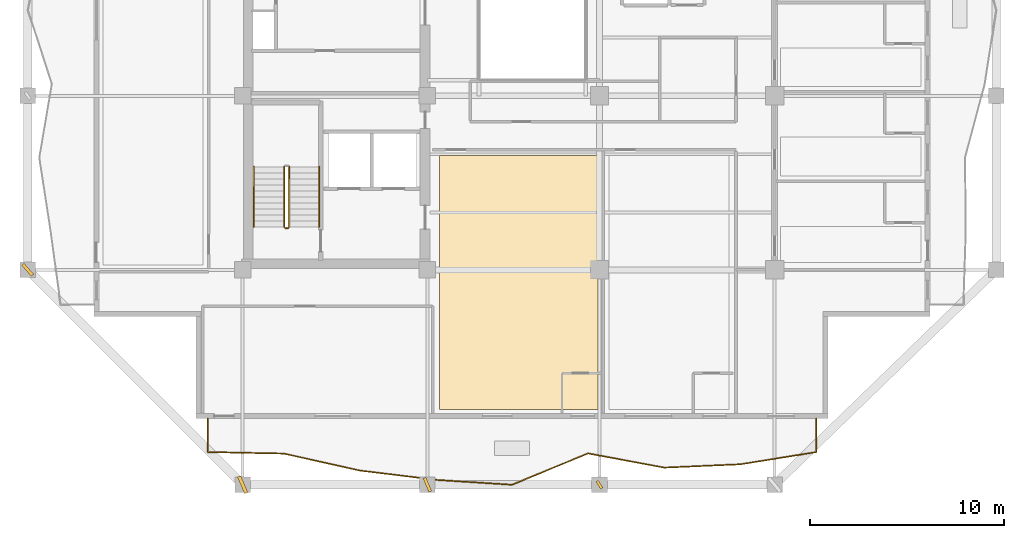
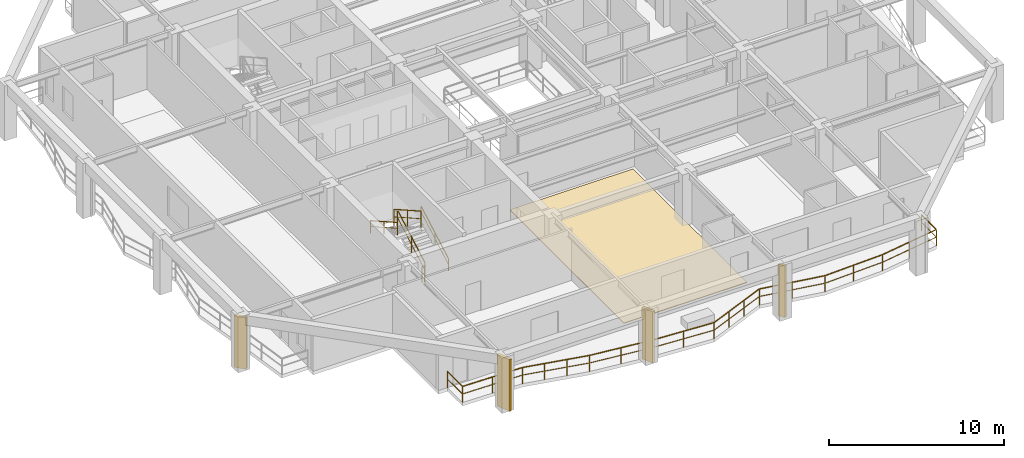
# One storey, part 8 of 13: 6 railings, 4 shading devices, 1 covering.
"""IFC4 building model written with IfcOpenShell, lengths in metres."""

from ifc_helpers import new_model, si_unit, direction, frame, origin, origin_2d, place, context, subcontext, project, spatial, polyline, rectangle, outline, extrude, material, layer, layer_set, type_object, element, save


model = new_model("IFC4")

# Units and contexts
model_context = context("Model", 3, precision=1e-05, world=origin(), true_north=direction((0.0, 1.0)))
body_context = subcontext(model_context, "Body", "Model", "MODEL_VIEW")
ifc_project = project(units=[si_unit("LENGTHUNIT", "METRE"), si_unit("AREAUNIT", "SQUARE_METRE"), si_unit("VOLUMEUNIT", "CUBIC_METRE"), si_unit("PLANEANGLEUNIT", "RADIAN"), si_unit("MASSUNIT", "GRAM", prefix="KILO")], contexts=[model_context])

# Site, building, storey
site_placement = place(None, origin())
site = spatial("IfcSite", under=ifc_project, at=site_placement, CompositionType="ELEMENT")
building_placement = place(site_placement, origin())
building = spatial("IfcBuilding", under=site, at=building_placement, Name="Kundavana Baori Tower", CompositionType="ELEMENT")
storey_placement = place(building_placement, frame((0.0, 0.0, 184.85009765625)))
storey = spatial("IfcBuildingStorey", under=building, at=storey_placement, Name="L45", CompositionType="ELEMENT", Elevation=184.85009765625)

# Covering
ifc_material_1 = material(Name="Honed Kota Stone and Terrazzo Flooring", Category="masonry")
ifc_layer = layer(ifc_material_1, 0.0400390625, Name="COV-FLR-TERR-40")
ifc_layer_set = layer_set([ifc_layer], Name="Honed Kota Stone and Terrazzo Flooring")
covering_type = type_object("IfcCoveringType", Name="COV-FLR-TERR-40", PredefinedType="FLOORING", material=ifc_layer_set)
covering_placement = place(storey_placement, origin())
element("IfcCovering", 1, at=covering_placement, inside=storey, type_object=covering_type, Name="L45 Room Finished Stone Flooring 2", PredefinedType="FLOORING", context=body_context, shape_type="SweptSolid", body=[
    extrude(outline(polyline([(25.580078125, 8.080078125), (33.719970703125, 8.080078125), (33.719970703125, 21.139892578125), (25.580078125, 21.139892578125), (25.580078125, 8.080078125)])), origin(), (0.0, 0.0, 1.0), 0.039794921875),
])

# Railings
ifc_material_2 = material(Name="Architectural Patinated Bronze Metalwork")
railing_type_1 = type_object("IfcRailingType", Name="RL-BAL-1150", PredefinedType="BALUSTRADE", material=ifc_material_2)
railing_1_placement = place(storey_placement, frame((44.949951171875, 7.60009765625, 0.0)))
element("IfcRailing", 2, at=railing_1_placement, inside=storey, type_object=railing_type_1, Name="L45 Loggia Balcony Balustrade S", PredefinedType="BALUSTRADE", context=body_context, shape_type="SweptSolid", body=[
    extrude(rectangle(XDim=0.048095703125, YDim=0.048095703125, at=origin_2d()), frame((0.0, 0.0, 1.1259765625), z_axis=(0.0, -1.0, 0.0), x_axis=(1.0, 0.0, 0.0)), (0.0, 0.0, 1.0), 1.72021484375),
    extrude(rectangle(XDim=0.03125, YDim=0.03125, at=origin_2d()), frame((0.0, 0.0, 0.597900390625), z_axis=(0.0, -1.0, 0.0), x_axis=(1.0, 0.0, 0.0)), (0.0, 0.0, 1.0), 1.72021484375),
    extrude(rectangle(XDim=0.048095703125, YDim=0.048095703125, at=origin_2d()), frame((0.0, -1.72021484375, 1.1259765625), z_axis=(-0.987283267843, -0.158970906262, 0.0), x_axis=(0.158970906262, -0.987283267843, 0.0)), (0.0, 0.0, 1.0), 3.962158203125),
    extrude(rectangle(XDim=0.03125, YDim=0.03125, at=origin_2d()), frame((0.0, -1.72021484375, 0.597900390625), z_axis=(-0.987283267843, -0.158970906262, 0.0), x_axis=(0.158970906262, -0.987283267843, 0.0)), (0.0, 0.0, 1.0), 3.962158203125),
    extrude(rectangle(XDim=0.048095703125, YDim=0.048095703125, at=origin_2d()), frame((-3.911865234375, -2.35009765625, 1.1259765625), z_axis=(-0.999058509044, -0.043383124675, 0.0), x_axis=(0.043383124675, -0.999058509044, 0.0)), (0.0, 0.0, 1.0), 3.916748046875),
    extrude(rectangle(XDim=0.03125, YDim=0.03125, at=origin_2d()), frame((-3.911865234375, -2.35009765625, 0.597900390625), z_axis=(-0.999058509044, -0.043383124675, 0.0), x_axis=(0.043383124675, -0.999058509044, 0.0)), (0.0, 0.0, 1.0), 3.916748046875),
    extrude(rectangle(XDim=0.048095703125, YDim=0.048095703125, at=origin_2d()), frame((-7.824951171875, -2.52001953125, 1.1259765625), z_axis=(-0.982988660782, 0.183666253768, 0.0), x_axis=(-0.183666253768, -0.982988660782, 0.0)), (0.0, 0.0, 1.0), 3.979736328125),
    extrude(rectangle(XDim=0.03125, YDim=0.03125, at=origin_2d()), frame((-7.824951171875, -2.52001953125, 0.597900390625), z_axis=(-0.982988660782, 0.183666253768, 0.0), x_axis=(-0.183666253768, -0.982988660782, 0.0)), (0.0, 0.0, 1.0), 3.979736328125),
    extrude(rectangle(XDim=0.048095703125, YDim=0.048095703125, at=origin_2d()), frame((-11.737060546875, -1.7890625, 1.1259765625), z_axis=(-0.92468526757, -0.380732394128, 0.0), x_axis=(0.380732394128, -0.92468526757, 0.0)), (0.0, 0.0, 1.0), 4.2314453125),
    extrude(rectangle(XDim=0.03125, YDim=0.03125, at=origin_2d()), frame((-11.737060546875, -1.7890625, 0.597900390625), z_axis=(-0.92468526757, -0.380732394128, 0.0), x_axis=(0.380732394128, -0.92468526757, 0.0)), (0.0, 0.0, 1.0), 4.2314453125),
    extrude(rectangle(XDim=0.048095703125, YDim=0.048095703125, at=origin_2d()), frame((-15.64990234375, -3.400146484375, 1.1259765625), z_axis=(-0.99794847737, 0.064022156436, 0.0), x_axis=(-0.064022156436, -0.99794847737, 0.0)), (0.0, 0.0, 1.0), 3.920166015625),
    extrude(rectangle(XDim=0.03125, YDim=0.03125, at=origin_2d()), frame((-15.64990234375, -3.400146484375, 0.597900390625), z_axis=(-0.99794847737, 0.064022156436, 0.0), x_axis=(-0.064022156436, -0.99794847737, 0.0)), (0.0, 0.0, 1.0), 3.920166015625),
    extrude(rectangle(XDim=0.048095703125, YDim=0.048095703125, at=origin_2d()), frame((-19.56201171875, -3.149169921875, 1.1259765625), z_axis=(-0.99259004777, 0.121511304282, 0.0), x_axis=(-0.121511304282, -0.99259004777, 0.0)), (0.0, 0.0, 1.0), 3.942138671875),
    extrude(rectangle(XDim=0.03125, YDim=0.03125, at=origin_2d()), frame((-19.56201171875, -3.149169921875, 0.597900390625), z_axis=(-0.99259004777, 0.121511304282, 0.0), x_axis=(-0.121511304282, -0.99259004777, 0.0)), (0.0, 0.0, 1.0), 3.942138671875),
    extrude(rectangle(XDim=0.048095703125, YDim=0.048095703125, at=origin_2d()), frame((-23.474853515625, -2.670166015625, 1.1259765625), z_axis=(-0.976055056129, 0.217523624937, 0.0), x_axis=(-0.217523624937, -0.976055056129, 0.0)), (0.0, 0.0, 1.0), 4.009033203125),
    extrude(rectangle(XDim=0.03125, YDim=0.03125, at=origin_2d()), frame((-23.474853515625, -2.670166015625, 0.597900390625), z_axis=(-0.976055056129, 0.217523624937, 0.0), x_axis=(-0.217523624937, -0.976055056129, 0.0)), (0.0, 0.0, 1.0), 4.009033203125),
    extrude(rectangle(XDim=0.048095703125, YDim=0.048095703125, at=origin_2d()), frame((-27.387939453125, -1.798095703125, 1.1259765625), z_axis=(-0.999801901844, 0.019903694876, 0.0), x_axis=(-0.019903694876, -0.999801901844, 0.0)), (0.0, 0.0, 1.0), 3.912841796875),
    extrude(rectangle(XDim=0.03125, YDim=0.03125, at=origin_2d()), frame((-27.387939453125, -1.798095703125, 0.597900390625), z_axis=(-0.999801901844, 0.019903694876, 0.0), x_axis=(-0.019903694876, -0.999801901844, 0.0)), (0.0, 0.0, 1.0), 3.912841796875),
    extrude(rectangle(XDim=0.048095703125, YDim=0.048095703125, at=origin_2d()), frame((-31.300048828125, -1.72021484375, 1.1259765625), z_axis=(0.0, 1.0, 0.0), x_axis=(-1.0, 0.0, 0.0)), (0.0, 0.0, 1.0), 1.72021484375),
    extrude(rectangle(XDim=0.03125, YDim=0.03125, at=origin_2d()), frame((-31.300048828125, -1.72021484375, 0.597900390625), z_axis=(0.0, 1.0, 0.0), x_axis=(-1.0, 0.0, 0.0)), (0.0, 0.0, 1.0), 1.72021484375),
    extrude(rectangle(XDim=0.0419921875, YDim=0.0419921875, at=origin_2d()), origin(), (0.0, 0.0, 1.0), 1.101806640625),
    extrude(rectangle(XDim=0.0419921875, YDim=0.0419921875, at=origin_2d()), frame((0.0, -1.72021484375, 0.0)), (0.0, 0.0, 1.0), 1.101806640625),
    extrude(rectangle(XDim=0.0419921875, YDim=0.0419921875, at=origin_2d()), frame((-1.9560546875, -2.03515625, 0.0)), (0.0, 0.0, 1.0), 1.101806640625),
    extrude(rectangle(XDim=0.0419921875, YDim=0.0419921875, at=origin_2d()), frame((-3.911865234375, -2.35009765625, 0.0)), (0.0, 0.0, 1.0), 1.101806640625),
    extrude(rectangle(XDim=0.0419921875, YDim=0.0419921875, at=origin_2d()), frame((-5.868408203125, -2.43505859375, 0.0)), (0.0, 0.0, 1.0), 1.101806640625),
    extrude(rectangle(XDim=0.0419921875, YDim=0.0419921875, at=origin_2d()), frame((-7.824951171875, -2.52001953125, 0.0)), (0.0, 0.0, 1.0), 1.101806640625),
    extrude(rectangle(XDim=0.0419921875, YDim=0.0419921875, at=origin_2d()), frame((-9.781005859375, -2.154541015625, 0.0)), (0.0, 0.0, 1.0), 1.101806640625),
    extrude(rectangle(XDim=0.0419921875, YDim=0.0419921875, at=origin_2d()), frame((-11.737060546875, -1.7890625, 0.0)), (0.0, 0.0, 1.0), 1.101806640625),
    extrude(rectangle(XDim=0.0419921875, YDim=0.0419921875, at=origin_2d()), frame((-13.041259765625, -2.326171875, 0.0)), (0.0, 0.0, 1.0), 1.101806640625),
    extrude(rectangle(XDim=0.0419921875, YDim=0.0419921875, at=origin_2d()), frame((-14.345703125, -2.863037109375, 0.0)), (0.0, 0.0, 1.0), 1.101806640625),
    extrude(rectangle(XDim=0.0419921875, YDim=0.0419921875, at=origin_2d()), frame((-15.64990234375, -3.400146484375, 0.0)), (0.0, 0.0, 1.0), 1.101806640625),
    extrude(rectangle(XDim=0.0419921875, YDim=0.0419921875, at=origin_2d()), frame((-17.60595703125, -3.274658203125, 0.0)), (0.0, 0.0, 1.0), 1.101806640625),
    extrude(rectangle(XDim=0.0419921875, YDim=0.0419921875, at=origin_2d()), frame((-19.56201171875, -3.149169921875, 0.0)), (0.0, 0.0, 1.0), 1.101806640625),
    extrude(rectangle(XDim=0.0419921875, YDim=0.0419921875, at=origin_2d()), frame((-21.5185546875, -2.90966796875, 0.0)), (0.0, 0.0, 1.0), 1.101806640625),
    extrude(rectangle(XDim=0.0419921875, YDim=0.0419921875, at=origin_2d()), frame((-23.474853515625, -2.670166015625, 0.0)), (0.0, 0.0, 1.0), 1.101806640625),
    extrude(rectangle(XDim=0.0419921875, YDim=0.0419921875, at=origin_2d()), frame((-24.779296875, -2.37939453125, 0.0)), (0.0, 0.0, 1.0), 1.101806640625),
    extrude(rectangle(XDim=0.0419921875, YDim=0.0419921875, at=origin_2d()), frame((-26.08349609375, -2.0888671875, 0.0)), (0.0, 0.0, 1.0), 1.101806640625),
    extrude(rectangle(XDim=0.0419921875, YDim=0.0419921875, at=origin_2d()), frame((-27.387939453125, -1.798095703125, 0.0)), (0.0, 0.0, 1.0), 1.101806640625),
    extrude(rectangle(XDim=0.0419921875, YDim=0.0419921875, at=origin_2d()), frame((-29.343994140625, -1.75927734375, 0.0)), (0.0, 0.0, 1.0), 1.101806640625),
    extrude(rectangle(XDim=0.0419921875, YDim=0.0419921875, at=origin_2d()), frame((-31.300048828125, -1.72021484375, 0.0)), (0.0, 0.0, 1.0), 1.101806640625),
    extrude(rectangle(XDim=0.0419921875, YDim=0.0419921875, at=origin_2d()), frame((-31.300048828125, 0.0, 0.0)), (0.0, 0.0, 1.0), 1.101806640625),
])
ifc_material_3 = material(Name="Architectural Patinated Bronze Metalwork")
railing_type_2 = type_object("IfcRailingType", Name="RL-GRD-1150", PredefinedType="GUARDRAIL", material=ifc_material_3)
railing_2_placement = place(storey_placement, frame((17.840087890625, 17.449951171875, 0.1748046875)))
element("IfcRailing", 3, at=railing_2_placement, inside=storey, type_object=railing_type_2, Name="L45 ST1 stair guard 1", PredefinedType="GUARDRAIL", context=body_context, shape_type="SweptSolid", body=[
    extrude(rectangle(XDim=0.048095703125, YDim=0.048095703125, at=origin_2d()), frame((0.0, 0.0, 1.1259765625), z_axis=(0.0, 0.870830938388, 0.491582624537), x_axis=(-1.0, 0.0, 0.0)), (0.0, 0.0, 1.0), 3.559814453125),
    extrude(rectangle(XDim=0.03125, YDim=0.03125, at=origin_2d()), frame((0.0, 0.0, 0.597900390625), z_axis=(0.0, 0.870830938388, 0.491582624537), x_axis=(-1.0, 0.0, 0.0)), (0.0, 0.0, 1.0), 3.559814453125),
    extrude(rectangle(XDim=0.0419921875, YDim=0.0419921875, at=origin_2d()), origin(), (0.0, 0.0, 1.0), 1.101806640625),
    extrude(rectangle(XDim=0.0419921875, YDim=0.0419921875, at=origin_2d()), frame((0.0, 1.550048828125, 0.875)), (0.0, 0.0, 1.0), 1.101806640625),
    extrude(rectangle(XDim=0.0419921875, YDim=0.0419921875, at=origin_2d()), frame((0.0, 3.10009765625, 1.75)), (0.0, 0.0, 1.0), 1.101806640625),
])
railing_3_placement = place(storey_placement, frame((17.580078125, 20.550048828125, 2.099853515625)))
element("IfcRailing", 4, at=railing_3_placement, inside=storey, type_object=railing_type_2, Name="L45 ST1 stair guard 3", PredefinedType="GUARDRAIL", context=body_context, shape_type="SweptSolid", body=[
    extrude(rectangle(XDim=0.048095703125, YDim=0.048095703125, at=origin_2d()), frame((0.0, 0.0, 1.1259765625), z_axis=(0.0, -0.870830938388, 0.491582624537), x_axis=(1.0, 0.0, 0.0)), (0.0, 0.0, 1.0), 3.559814453125),
    extrude(rectangle(XDim=0.03125, YDim=0.03125, at=origin_2d()), frame((0.0, 0.0, 0.597900390625), z_axis=(0.0, -0.870830938388, 0.491582624537), x_axis=(1.0, 0.0, 0.0)), (0.0, 0.0, 1.0), 3.559814453125),
    extrude(rectangle(XDim=0.0419921875, YDim=0.0419921875, at=origin_2d()), origin(), (0.0, 0.0, 1.0), 1.101806640625),
    extrude(rectangle(XDim=0.0419921875, YDim=0.0419921875, at=origin_2d()), frame((0.0, -1.550048828125, 0.875)), (0.0, 0.0, 1.0), 1.101806640625),
    extrude(rectangle(XDim=0.0419921875, YDim=0.0419921875, at=origin_2d()), frame((0.0, -3.10009765625, 1.75)), (0.0, 0.0, 1.0), 1.101806640625),
])
railing_4_placement = place(storey_placement, frame((17.7900390625, 17.39990234375, 0.0)))
element("IfcRailing", 5, at=railing_4_placement, inside=storey, type_object=railing_type_2, Name="L45 ST1 stair guard 4", PredefinedType="GUARDRAIL", context=body_context, shape_type="SweptSolid", body=[
    extrude(rectangle(XDim=0.048095703125, YDim=0.048095703125, at=origin_2d()), frame((0.0, 0.0, 1.1259765625), z_axis=(-1.0, 0.0, 0.0), x_axis=(0.0, -1.0, 0.0)), (0.0, 0.0, 1.0), 0.16015625),
    extrude(rectangle(XDim=0.03125, YDim=0.03125, at=origin_2d()), frame((0.0, 0.0, 0.597900390625), z_axis=(-1.0, 0.0, 0.0), x_axis=(0.0, -1.0, 0.0)), (0.0, 0.0, 1.0), 0.16015625),
    extrude(rectangle(XDim=0.0419921875, YDim=0.0419921875, at=origin_2d()), origin(), (0.0, 0.0, 1.0), 1.101806640625),
    extrude(rectangle(XDim=0.0419921875, YDim=0.0419921875, at=origin_2d()), frame((-0.16015625, 0.0, 0.0)), (0.0, 0.0, 1.0), 1.101806640625),
])
ifc_material_4 = material(Name="Architectural Patinated Bronze Metalwork")
railing_type_3 = type_object("IfcRailingType", Name="RL-HND-920", PredefinedType="HANDRAIL", material=ifc_material_4)
railing_5_placement = place(storey_placement, frame((19.389892578125, 17.449951171875, 0.1748046875)))
element("IfcRailing", 6, at=railing_5_placement, inside=storey, type_object=railing_type_3, Name="L45 ST1 stair handrail 1", PredefinedType="HANDRAIL", context=body_context, shape_type="SweptSolid", body=[
    extrude(rectangle(XDim=0.048095703125, YDim=0.048095703125, at=origin_2d()), frame((0.0, 0.0, 0.8759765625), z_axis=(0.0, 0.870830938388, 0.491582624537), x_axis=(-1.0, 0.0, 0.0)), (0.0, 0.0, 1.0), 3.559814453125),
    extrude(rectangle(XDim=0.03125, YDim=0.03125, at=origin_2d()), frame((0.0, 0.0, 0.468017578125), z_axis=(0.0, 0.870830938388, 0.491582624537), x_axis=(-1.0, 0.0, 0.0)), (0.0, 0.0, 1.0), 3.559814453125),
    extrude(rectangle(XDim=0.0419921875, YDim=0.0419921875, at=origin_2d()), origin(), (0.0, 0.0, 1.0), 0.851806640625),
    extrude(rectangle(XDim=0.0419921875, YDim=0.0419921875, at=origin_2d()), frame((0.0, 1.550048828125, 0.875)), (0.0, 0.0, 1.0), 0.851806640625),
    extrude(rectangle(XDim=0.0419921875, YDim=0.0419921875, at=origin_2d()), frame((0.0, 3.10009765625, 1.75)), (0.0, 0.0, 1.0), 0.851806640625),
])
railing_6_placement = place(storey_placement, frame((16.030029296875, 20.550048828125, 2.099853515625)))
element("IfcRailing", 7, at=railing_6_placement, inside=storey, type_object=railing_type_3, Name="L45 ST1 stair handrail 2", PredefinedType="HANDRAIL", context=body_context, shape_type="SweptSolid", body=[
    extrude(rectangle(XDim=0.048095703125, YDim=0.048095703125, at=origin_2d()), frame((0.0, 0.0, 0.8759765625), z_axis=(0.0, -0.870830938388, 0.491582624537), x_axis=(1.0, 0.0, 0.0)), (0.0, 0.0, 1.0), 3.559814453125),
    extrude(rectangle(XDim=0.03125, YDim=0.03125, at=origin_2d()), frame((0.0, 0.0, 0.468017578125), z_axis=(0.0, -0.870830938388, 0.491582624537), x_axis=(1.0, 0.0, 0.0)), (0.0, 0.0, 1.0), 3.559814453125),
    extrude(rectangle(XDim=0.0419921875, YDim=0.0419921875, at=origin_2d()), origin(), (0.0, 0.0, 1.0), 0.851806640625),
    extrude(rectangle(XDim=0.0419921875, YDim=0.0419921875, at=origin_2d()), frame((0.0, -1.550048828125, 0.875)), (0.0, 0.0, 1.0), 0.851806640625),
    extrude(rectangle(XDim=0.0419921875, YDim=0.0419921875, at=origin_2d()), frame((0.0, -3.10009765625, 1.75)), (0.0, 0.0, 1.0), 0.851806640625),
])

# Shading devices
ifc_material_5 = material(Name="Red-Buff Dholpur Sandstone Cladding on Concrete C40/50", Category="masonry")
shading_device_type_1 = type_object("IfcShadingDeviceType", Name="SHD-FIN-750", PredefinedType="JALOUSIE", material=ifc_material_5)
for number, where, z_axis, x_axis, name in (
    (8, (24.949951171875, 4.199951171875, -0.000244140625), (0.0, 0.0, 1.0), (0.919889959056, 0.392176571492, 0.0), "L45 Sweeping Dholpur Sandstone Facade Fin 2"),
    (9, (4.39990234375, 15.25, -0.000244140625), (0.0, 0.0, 1.0), (0.749418134297, 0.662097017051, 0.0), "L45 Sweeping Dholpur Sandstone Facade Fin 5"),
):
    element("IfcShadingDevice", number, at=place(storey_placement, frame(where, z_axis=z_axis, x_axis=x_axis)), inside=storey, type_object=shading_device_type_1, Name=name, PredefinedType="JALOUSIE", context=body_context, shape_type="SweptSolid", body=[
        extrude(rectangle(XDim=0.159912109375, YDim=0.75, at=origin_2d()), origin(), (0.0, 0.0, 1.0), 3.60009765625),
    ])
ifc_material_6 = material(Name="Red-Buff Dholpur Sandstone Cladding on Concrete C40/50", Category="masonry")
shading_device_type_2 = type_object("IfcShadingDeviceType", Name="SHD-FIN-920", PredefinedType="JALOUSIE", material=ifc_material_6)
shading_device_1_placement = place(storey_placement, frame((15.449951171875, 4.199951171875, -0.000244140625), z_axis=(0.0, 0.0, 1.0), x_axis=(0.91796244602, 0.396667301018, 0.0)))
element("IfcShadingDevice", 10, at=shading_device_1_placement, inside=storey, type_object=shading_device_type_2, Name="L45 Sweeping Dholpur Sandstone Facade Fin 1", PredefinedType="JALOUSIE", context=body_context, shape_type="SweptSolid", body=[
    extrude(rectangle(XDim=0.179931640625, YDim=0.919921875, at=origin_2d()), origin(), (0.0, 0.0, 1.0), 3.60009765625),
])
ifc_material_7 = material(Name="Architectural Patinated Bronze Metalwork")
shading_device_type_3 = type_object("IfcShadingDeviceType", Name="SHD-LOUV-450", PredefinedType="SHUTTER", material=ifc_material_7)
shading_device_2_placement = place(storey_placement, frame((33.800048828125, 4.199951171875, -0.000244140625), z_axis=(0.0, 0.0, 1.0), x_axis=(0.857077396545, 0.515187670981, 0.0)))
element("IfcShadingDevice", 11, at=shading_device_2_placement, inside=storey, type_object=shading_device_type_3, Name="L45 Sweeping Dholpur Sandstone Facade Fin 3", PredefinedType="SHUTTER", context=body_context, shape_type="SweptSolid", body=[
    extrude(rectangle(XDim=0.139892578125, YDim=0.449951171875, at=origin_2d()), origin(), (0.0, 0.0, 1.0), 3.60009765625),
])

save(model, "model.ifc")
